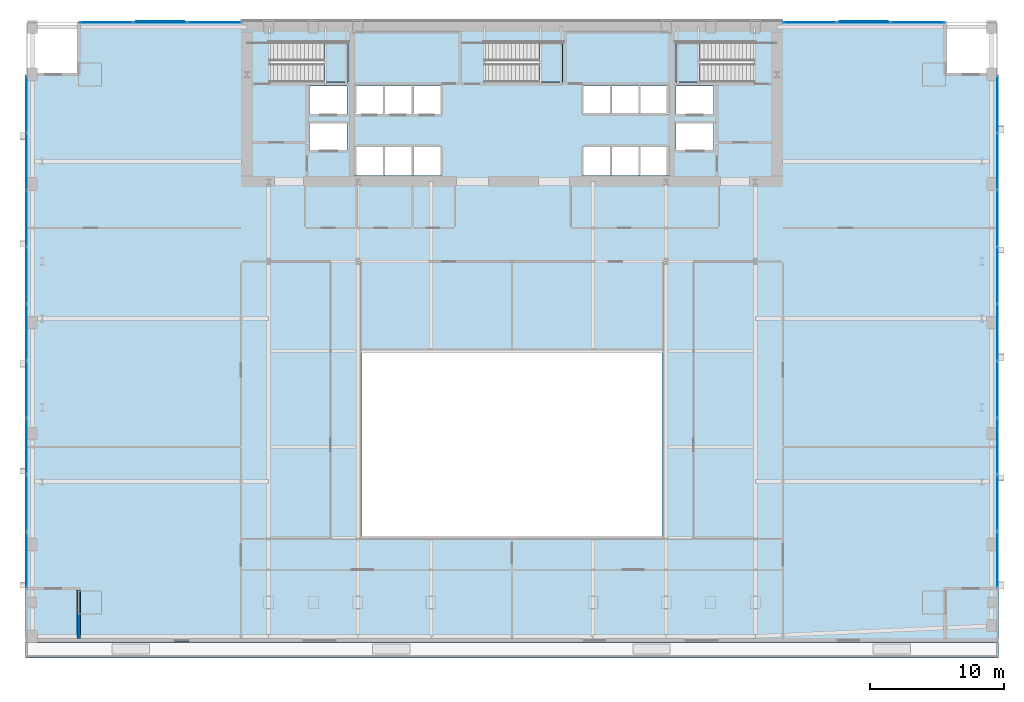
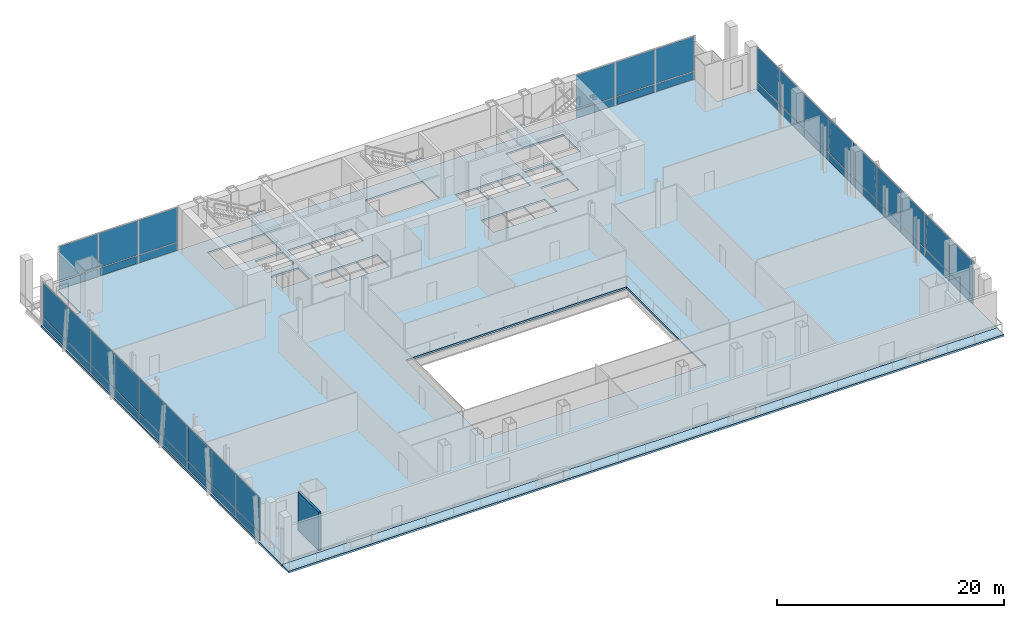
# One storey, part 18 of 25: 50 plates, 5 slabs, 1 wall, 7 elements without a shape of their own.
"""IFC4 building model written with IfcOpenShell, lengths in metres."""

from ifc_helpers import new_model, si_unit, direction, frame, frame_2d, origin, origin_2d, place, context, subcontext, project, spatial, polyline, rectangle, outline, extrude, material, layer, layer_set, type_object, element, aggregate, save


model = new_model("IFC4")

# Units and contexts
model_context = context("Model", 3, precision=1e-05, world=origin(), true_north=direction((0.0, 1.0)))
body_context = subcontext(model_context, "Body", "Model", "MODEL_VIEW")
ifc_project = project(units=[si_unit("LENGTHUNIT", "METRE"), si_unit("AREAUNIT", "SQUARE_METRE"), si_unit("VOLUMEUNIT", "CUBIC_METRE"), si_unit("PLANEANGLEUNIT", "RADIAN"), si_unit("MASSUNIT", "GRAM", prefix="KILO")], contexts=[model_context])

# Site, building, storey
site_placement = place(None, origin())
site = spatial("IfcSite", under=ifc_project, at=site_placement, CompositionType="ELEMENT")
building_placement = place(site_placement, origin())
building = spatial("IfcBuilding", under=site, at=building_placement, Name="Khoronbel Lancet Exchange", CompositionType="ELEMENT")
storey_placement = place(building_placement, frame((0.0, 0.0, 15.39990234375)))
storey = spatial("IfcBuildingStorey", under=building, at=storey_placement, Name="L03", CompositionType="ELEMENT", Elevation=15.39990234375)

# Curtain wall, plate
ifc_material_1 = material(Name="Low-E Solar Control Insulating Glass", Category="glass")
curtain_wall_type = type_object("IfcCurtainWallType", Name="CW-5", PredefinedType="NOTDEFINED", material=ifc_material_1)
curtain_wall_1_placement = place(storey_placement, origin())
curtain_wall_1 = element("IfcCurtainWall", 1, at=curtain_wall_1_placement, inside=storey, type_object=curtain_wall_type, Name="Unitised curtain wall CW-L03-NW", PredefinedType="NOTDEFINED")
ifc_material_2 = material(Name="Bronze-Anodised Aluminium 6063-T6", Category="aluminium")
ifc_layer_1 = layer(ifc_material_2, 0.050048828125, Name="Bronze-Anodised Aluminium 6063-T6")
ifc_layer_set_1 = layer_set([ifc_layer_1], Name="Bronze-Anodised Aluminium 6063-T6")
plate_type_1 = type_object("IfcPlateType", Name="PLT-CSP1", PredefinedType="SHEET", material=ifc_layer_set_1)
plate_1_placement = place(storey_placement, frame((10.110107421875, 53.659912109375, 0.05029296875), z_axis=(0.0, 0.0, 1.0), x_axis=(1.0, 0.0, 0.0)))
plate_1 = element("IfcPlate", 2, at=plate_1_placement, type_object=plate_type_1, Name="Insulated bronze spandrel cassette CW-L03-NW", PredefinedType="SHEET", context=body_context, shape_type="SweptSolid", body=[
    extrude(rectangle(XDim=3.60009765625, YDim=0.050048828125, at=origin_2d()), origin(), (0.0, 0.0, 1.0), 0.800048828125),
])

curtain_wall_2_placement = place(storey_placement, origin())
curtain_wall_2 = element("IfcCurtainWall", 3, at=curtain_wall_2_placement, inside=storey, type_object=curtain_wall_type, Name="Unitised curtain wall CW-L03-NE", PredefinedType="NOTDEFINED")
plate_2_placement = place(storey_placement, frame((62.7900390625, 53.659912109375, 0.05029296875), z_axis=(0.0, 0.0, 1.0), x_axis=(1.0, 0.0, 0.0)))
plate_2 = element("IfcPlate", 4, at=plate_2_placement, type_object=plate_type_1, Name="Insulated bronze spandrel cassette CW-L03-NE", PredefinedType="SHEET", context=body_context, shape_type="SweptSolid", body=[
    extrude(rectangle(XDim=3.60009765625, YDim=0.050048828125, at=origin_2d()), origin(), (0.0, 0.0, 1.0), 0.800048828125),
])

# Curtain wall, plates
curtain_wall_3_placement = place(storey_placement, origin())
curtain_wall_3 = element("IfcCurtainWall", 5, at=curtain_wall_3_placement, inside=storey, type_object=curtain_wall_type, Name="Unitised curtain wall CW-L03-WEST", PredefinedType="NOTDEFINED")
ifc_layer_2 = layer(ifc_material_1, 0.035888671875, Name="Low-E Solar Control Insulating Glass")
ifc_layer_set_2 = layer_set([ifc_layer_2], Name="Low-E Solar Control Insulating Glass")
plate_type_2 = type_object("IfcPlateType", Name="PLT-CWP1", PredefinedType="CURTAIN_PANEL", material=ifc_layer_set_2)
plate_3_placement = place(storey_placement, frame((0.10009765625, 47.4453125, 0.0751953125), z_axis=(0.0, 0.0, 1.0), x_axis=(0.0, -1.0, 0.0)))
plate_3 = element("IfcPlate", 6, at=plate_3_placement, type_object=plate_type_2, Name="CW5 panel 1.1", PredefinedType="CURTAIN_PANEL", context=body_context, shape_type="SweptSolid", body=[
    extrude(rectangle(XDim=4.13916015625, YDim=0.0380859375, at=origin_2d()), origin(), (0.0, 0.0, 1.0), 0.83740234375),
])
plate_4_placement = place(storey_placement, frame((0.10009765625, 47.4453125, 0.98779296875), z_axis=(0.0, 0.0, 1.0), x_axis=(0.0, -1.0, 0.0)))
plate_4 = element("IfcPlate", 7, at=plate_4_placement, type_object=plate_type_2, Name="CW5 panel 1.2", PredefinedType="CURTAIN_PANEL", context=body_context, shape_type="SweptSolid", body=[
    extrude(rectangle(XDim=4.13916015625, YDim=0.0380859375, at=origin_2d()), origin(), (0.0, 0.0, 1.0), 3.717529296875),
])
plate_5_placement = place(storey_placement, frame((0.10009765625, 43.199951171875, 0.0751953125), z_axis=(0.0, 0.0, 1.0), x_axis=(0.0, -1.0, 0.0)))
plate_5 = element("IfcPlate", 8, at=plate_5_placement, type_object=plate_type_2, Name="CW5 panel 2.1", PredefinedType="CURTAIN_PANEL", context=body_context, shape_type="SweptSolid", body=[
    extrude(rectangle(XDim=4.181640625, YDim=0.0380859375, at=origin_2d()), origin(), (0.0, 0.0, 1.0), 0.83740234375),
])
plate_6_placement = place(storey_placement, frame((0.10009765625, 43.199951171875, 0.98779296875), z_axis=(0.0, 0.0, 1.0), x_axis=(0.0, -1.0, 0.0)))
plate_6 = element("IfcPlate", 9, at=plate_6_placement, type_object=plate_type_2, Name="CW5 panel 2.2", PredefinedType="CURTAIN_PANEL", context=body_context, shape_type="SweptSolid", body=[
    extrude(rectangle(XDim=4.181640625, YDim=0.0380859375, at=origin_2d()), origin(), (0.0, 0.0, 1.0), 3.717529296875),
])
plate_7_placement = place(storey_placement, frame((0.10009765625, 38.933349609375, 0.0751953125), z_axis=(0.0, 0.0, 1.0), x_axis=(0.0, -1.0, 0.0)))
plate_7 = element("IfcPlate", 10, at=plate_7_placement, type_object=plate_type_2, Name="CW5 panel 3.1", PredefinedType="CURTAIN_PANEL", context=body_context, shape_type="SweptSolid", body=[
    extrude(rectangle(XDim=4.181640625, YDim=0.0380859375, at=origin_2d()), origin(), (0.0, 0.0, 1.0), 0.83740234375),
])
plate_8_placement = place(storey_placement, frame((0.10009765625, 38.933349609375, 0.98779296875), z_axis=(0.0, 0.0, 1.0), x_axis=(0.0, -1.0, 0.0)))
plate_8 = element("IfcPlate", 11, at=plate_8_placement, type_object=plate_type_2, Name="CW5 panel 3.2", PredefinedType="CURTAIN_PANEL", context=body_context, shape_type="SweptSolid", body=[
    extrude(rectangle(XDim=4.181640625, YDim=0.0380859375, at=origin_2d()), origin(), (0.0, 0.0, 1.0), 3.717529296875),
])
plate_9_placement = place(storey_placement, frame((0.10009765625, 34.666748046875, 0.0751953125), z_axis=(0.0, 0.0, 1.0), x_axis=(0.0, -1.0, 0.0)))
plate_9 = element("IfcPlate", 12, at=plate_9_placement, type_object=plate_type_2, Name="CW5 panel 4.1", PredefinedType="CURTAIN_PANEL", context=body_context, shape_type="SweptSolid", body=[
    extrude(rectangle(XDim=4.181640625, YDim=0.0380859375, at=origin_2d()), origin(), (0.0, 0.0, 1.0), 0.83740234375),
])
plate_10_placement = place(storey_placement, frame((0.10009765625, 34.666748046875, 0.98779296875), z_axis=(0.0, 0.0, 1.0), x_axis=(0.0, -1.0, 0.0)))
plate_10 = element("IfcPlate", 13, at=plate_10_placement, type_object=plate_type_2, Name="CW5 panel 4.2", PredefinedType="CURTAIN_PANEL", context=body_context, shape_type="SweptSolid", body=[
    extrude(rectangle(XDim=4.181640625, YDim=0.0380859375, at=origin_2d()), origin(), (0.0, 0.0, 1.0), 3.717529296875),
])
plate_11_placement = place(storey_placement, frame((0.10009765625, 30.39990234375, 0.0751953125), z_axis=(0.0, 0.0, 1.0), x_axis=(0.0, -1.0, 0.0)))
plate_11 = element("IfcPlate", 14, at=plate_11_placement, type_object=plate_type_2, Name="CW5 panel 5.1", PredefinedType="CURTAIN_PANEL", context=body_context, shape_type="SweptSolid", body=[
    extrude(rectangle(XDim=4.181640625, YDim=0.0380859375, at=origin_2d()), origin(), (0.0, 0.0, 1.0), 0.83740234375),
])
plate_12_placement = place(storey_placement, frame((0.10009765625, 30.39990234375, 0.98779296875), z_axis=(0.0, 0.0, 1.0), x_axis=(0.0, -1.0, 0.0)))
plate_12 = element("IfcPlate", 15, at=plate_12_placement, type_object=plate_type_2, Name="CW5 panel 5.2", PredefinedType="CURTAIN_PANEL", context=body_context, shape_type="SweptSolid", body=[
    extrude(rectangle(XDim=4.181640625, YDim=0.0380859375, at=origin_2d()), origin(), (0.0, 0.0, 1.0), 3.717529296875),
])
plate_13_placement = place(storey_placement, frame((0.10009765625, 26.13330078125, 0.0751953125), z_axis=(0.0, 0.0, 1.0), x_axis=(0.0, -1.0, 0.0)))
plate_13 = element("IfcPlate", 16, at=plate_13_placement, type_object=plate_type_2, Name="CW5 panel 6.1", PredefinedType="CURTAIN_PANEL", context=body_context, shape_type="SweptSolid", body=[
    extrude(rectangle(XDim=4.181640625, YDim=0.0380859375, at=origin_2d()), origin(), (0.0, 0.0, 1.0), 0.83740234375),
])
plate_14_placement = place(storey_placement, frame((0.10009765625, 26.13330078125, 0.98779296875), z_axis=(0.0, 0.0, 1.0), x_axis=(0.0, -1.0, 0.0)))
plate_14 = element("IfcPlate", 17, at=plate_14_placement, type_object=plate_type_2, Name="CW5 panel 6.2", PredefinedType="CURTAIN_PANEL", context=body_context, shape_type="SweptSolid", body=[
    extrude(rectangle(XDim=4.181640625, YDim=0.0380859375, at=origin_2d()), origin(), (0.0, 0.0, 1.0), 3.717529296875),
])
plate_15_placement = place(storey_placement, frame((0.10009765625, 21.86669921875, 0.0751953125), z_axis=(0.0, 0.0, 1.0), x_axis=(0.0, -1.0, 0.0)))
plate_15 = element("IfcPlate", 18, at=plate_15_placement, type_object=plate_type_2, Name="CW5 panel 7.1", PredefinedType="CURTAIN_PANEL", context=body_context, shape_type="SweptSolid", body=[
    extrude(rectangle(XDim=4.181640625, YDim=0.0380859375, at=origin_2d()), origin(), (0.0, 0.0, 1.0), 0.83740234375),
])
plate_16_placement = place(storey_placement, frame((0.10009765625, 21.86669921875, 0.98779296875), z_axis=(0.0, 0.0, 1.0), x_axis=(0.0, -1.0, 0.0)))
plate_16 = element("IfcPlate", 19, at=plate_16_placement, type_object=plate_type_2, Name="CW5 panel 7.2", PredefinedType="CURTAIN_PANEL", context=body_context, shape_type="SweptSolid", body=[
    extrude(rectangle(XDim=4.181640625, YDim=0.0380859375, at=origin_2d()), origin(), (0.0, 0.0, 1.0), 3.717529296875),
])
plate_17_placement = place(storey_placement, frame((0.10009765625, 17.60009765625, 0.0751953125), z_axis=(0.0, 0.0, 1.0), x_axis=(0.0, -1.0, 0.0)))
plate_17 = element("IfcPlate", 20, at=plate_17_placement, type_object=plate_type_2, Name="CW5 panel 8.1", PredefinedType="CURTAIN_PANEL", context=body_context, shape_type="SweptSolid", body=[
    extrude(rectangle(XDim=4.181640625, YDim=0.0380859375, at=origin_2d()), origin(), (0.0, 0.0, 1.0), 0.83740234375),
])
plate_18_placement = place(storey_placement, frame((0.10009765625, 17.60009765625, 0.98779296875), z_axis=(0.0, 0.0, 1.0), x_axis=(0.0, -1.0, 0.0)))
plate_18 = element("IfcPlate", 21, at=plate_18_placement, type_object=plate_type_2, Name="CW5 panel 8.2", PredefinedType="CURTAIN_PANEL", context=body_context, shape_type="SweptSolid", body=[
    extrude(rectangle(XDim=4.181640625, YDim=0.0380859375, at=origin_2d()), origin(), (0.0, 0.0, 1.0), 3.717529296875),
])
plate_19_placement = place(storey_placement, frame((0.10009765625, 13.3544921875, 0.0751953125), z_axis=(0.0, 0.0, 1.0), x_axis=(0.0, -1.0, 0.0)))
plate_19 = element("IfcPlate", 22, at=plate_19_placement, type_object=plate_type_2, Name="CW5 panel 9.1", PredefinedType="CURTAIN_PANEL", context=body_context, shape_type="SweptSolid", body=[
    extrude(rectangle(XDim=4.13916015625, YDim=0.0380859375, at=origin_2d()), origin(), (0.0, 0.0, 1.0), 0.83740234375),
])
plate_20_placement = place(storey_placement, frame((0.10009765625, 13.3544921875, 0.98779296875), z_axis=(0.0, 0.0, 1.0), x_axis=(0.0, -1.0, 0.0)))
plate_20 = element("IfcPlate", 23, at=plate_20_placement, type_object=plate_type_2, Name="CW5 panel 9.2", PredefinedType="CURTAIN_PANEL", context=body_context, shape_type="SweptSolid", body=[
    extrude(rectangle(XDim=4.13916015625, YDim=0.0380859375, at=origin_2d()), origin(), (0.0, 0.0, 1.0), 3.717529296875),
])
aggregate(curtain_wall_3, [plate_3, plate_4, plate_5, plate_6, plate_7, plate_8, plate_9, plate_10, plate_11, plate_12, plate_13, plate_14, plate_15, plate_16, plate_17, plate_18, plate_19, plate_20])

curtain_wall_4_placement = place(storey_placement, origin())
curtain_wall_4 = element("IfcCurtainWall", 24, at=curtain_wall_4_placement, inside=storey, type_object=curtain_wall_type, Name="Unitised curtain wall CW-L03-EAST", PredefinedType="NOTDEFINED")
plate_21_placement = place(storey_placement, frame((72.800048828125, 13.3544921875, 0.0751953125), z_axis=(0.0, 0.0, 1.0), x_axis=(0.0, 1.0, 0.0)))
plate_21 = element("IfcPlate", 25, at=plate_21_placement, type_object=plate_type_2, Name="CW5 panel 1.1", PredefinedType="CURTAIN_PANEL", context=body_context, shape_type="SweptSolid", body=[
    extrude(rectangle(XDim=4.13916015625, YDim=0.0380859375, at=origin_2d()), origin(), (0.0, 0.0, 1.0), 0.83740234375),
])
plate_22_placement = place(storey_placement, frame((72.800048828125, 13.3544921875, 0.98779296875), z_axis=(0.0, 0.0, 1.0), x_axis=(0.0, 1.0, 0.0)))
plate_22 = element("IfcPlate", 26, at=plate_22_placement, type_object=plate_type_2, Name="CW5 panel 1.2", PredefinedType="CURTAIN_PANEL", context=body_context, shape_type="SweptSolid", body=[
    extrude(rectangle(XDim=4.13916015625, YDim=0.0380859375, at=origin_2d()), origin(), (0.0, 0.0, 1.0), 3.717529296875),
])
plate_23_placement = place(storey_placement, frame((72.800048828125, 17.60009765625, 0.0751953125), z_axis=(0.0, 0.0, 1.0), x_axis=(0.0, 1.0, 0.0)))
plate_23 = element("IfcPlate", 27, at=plate_23_placement, type_object=plate_type_2, Name="CW5 panel 2.1", PredefinedType="CURTAIN_PANEL", context=body_context, shape_type="SweptSolid", body=[
    extrude(rectangle(XDim=4.181640625, YDim=0.0380859375, at=origin_2d()), origin(), (0.0, 0.0, 1.0), 0.83740234375),
])
plate_24_placement = place(storey_placement, frame((72.800048828125, 17.60009765625, 0.98779296875), z_axis=(0.0, 0.0, 1.0), x_axis=(0.0, 1.0, 0.0)))
plate_24 = element("IfcPlate", 28, at=plate_24_placement, type_object=plate_type_2, Name="CW5 panel 2.2", PredefinedType="CURTAIN_PANEL", context=body_context, shape_type="SweptSolid", body=[
    extrude(rectangle(XDim=4.181640625, YDim=0.0380859375, at=origin_2d()), origin(), (0.0, 0.0, 1.0), 3.717529296875),
])
plate_25_placement = place(storey_placement, frame((72.800048828125, 21.86669921875, 0.0751953125), z_axis=(0.0, 0.0, 1.0), x_axis=(0.0, 1.0, 0.0)))
plate_25 = element("IfcPlate", 29, at=plate_25_placement, type_object=plate_type_2, Name="CW5 panel 3.1", PredefinedType="CURTAIN_PANEL", context=body_context, shape_type="SweptSolid", body=[
    extrude(rectangle(XDim=4.181640625, YDim=0.0380859375, at=origin_2d()), origin(), (0.0, 0.0, 1.0), 0.83740234375),
])
plate_26_placement = place(storey_placement, frame((72.800048828125, 21.86669921875, 0.98779296875), z_axis=(0.0, 0.0, 1.0), x_axis=(0.0, 1.0, 0.0)))
plate_26 = element("IfcPlate", 30, at=plate_26_placement, type_object=plate_type_2, Name="CW5 panel 3.2", PredefinedType="CURTAIN_PANEL", context=body_context, shape_type="SweptSolid", body=[
    extrude(rectangle(XDim=4.181640625, YDim=0.0380859375, at=origin_2d()), origin(), (0.0, 0.0, 1.0), 3.717529296875),
])
plate_27_placement = place(storey_placement, frame((72.800048828125, 26.13330078125, 0.0751953125), z_axis=(0.0, 0.0, 1.0), x_axis=(0.0, 1.0, 0.0)))
plate_27 = element("IfcPlate", 31, at=plate_27_placement, type_object=plate_type_2, Name="CW5 panel 4.1", PredefinedType="CURTAIN_PANEL", context=body_context, shape_type="SweptSolid", body=[
    extrude(rectangle(XDim=4.181640625, YDim=0.0380859375, at=origin_2d()), origin(), (0.0, 0.0, 1.0), 0.83740234375),
])
plate_28_placement = place(storey_placement, frame((72.800048828125, 26.13330078125, 0.98779296875), z_axis=(0.0, 0.0, 1.0), x_axis=(0.0, 1.0, 0.0)))
plate_28 = element("IfcPlate", 32, at=plate_28_placement, type_object=plate_type_2, Name="CW5 panel 4.2", PredefinedType="CURTAIN_PANEL", context=body_context, shape_type="SweptSolid", body=[
    extrude(rectangle(XDim=4.181640625, YDim=0.0380859375, at=origin_2d()), origin(), (0.0, 0.0, 1.0), 3.717529296875),
])
plate_29_placement = place(storey_placement, frame((72.800048828125, 30.39990234375, 0.0751953125), z_axis=(0.0, 0.0, 1.0), x_axis=(0.0, 1.0, 0.0)))
plate_29 = element("IfcPlate", 33, at=plate_29_placement, type_object=plate_type_2, Name="CW5 panel 5.1", PredefinedType="CURTAIN_PANEL", context=body_context, shape_type="SweptSolid", body=[
    extrude(rectangle(XDim=4.181640625, YDim=0.0380859375, at=origin_2d()), origin(), (0.0, 0.0, 1.0), 0.83740234375),
])
plate_30_placement = place(storey_placement, frame((72.800048828125, 30.39990234375, 0.98779296875), z_axis=(0.0, 0.0, 1.0), x_axis=(0.0, 1.0, 0.0)))
plate_30 = element("IfcPlate", 34, at=plate_30_placement, type_object=plate_type_2, Name="CW5 panel 5.2", PredefinedType="CURTAIN_PANEL", context=body_context, shape_type="SweptSolid", body=[
    extrude(rectangle(XDim=4.181640625, YDim=0.0380859375, at=origin_2d()), origin(), (0.0, 0.0, 1.0), 3.717529296875),
])
plate_31_placement = place(storey_placement, frame((72.800048828125, 34.666748046875, 0.0751953125), z_axis=(0.0, 0.0, 1.0), x_axis=(0.0, 1.0, 0.0)))
plate_31 = element("IfcPlate", 35, at=plate_31_placement, type_object=plate_type_2, Name="CW5 panel 6.1", PredefinedType="CURTAIN_PANEL", context=body_context, shape_type="SweptSolid", body=[
    extrude(rectangle(XDim=4.181640625, YDim=0.0380859375, at=origin_2d()), origin(), (0.0, 0.0, 1.0), 0.83740234375),
])
plate_32_placement = place(storey_placement, frame((72.800048828125, 34.666748046875, 0.98779296875), z_axis=(0.0, 0.0, 1.0), x_axis=(0.0, 1.0, 0.0)))
plate_32 = element("IfcPlate", 36, at=plate_32_placement, type_object=plate_type_2, Name="CW5 panel 6.2", PredefinedType="CURTAIN_PANEL", context=body_context, shape_type="SweptSolid", body=[
    extrude(rectangle(XDim=4.181640625, YDim=0.0380859375, at=origin_2d()), origin(), (0.0, 0.0, 1.0), 3.717529296875),
])
plate_33_placement = place(storey_placement, frame((72.800048828125, 38.933349609375, 0.0751953125), z_axis=(0.0, 0.0, 1.0), x_axis=(0.0, 1.0, 0.0)))
plate_33 = element("IfcPlate", 37, at=plate_33_placement, type_object=plate_type_2, Name="CW5 panel 7.1", PredefinedType="CURTAIN_PANEL", context=body_context, shape_type="SweptSolid", body=[
    extrude(rectangle(XDim=4.181640625, YDim=0.0380859375, at=origin_2d()), origin(), (0.0, 0.0, 1.0), 0.83740234375),
])
plate_34_placement = place(storey_placement, frame((72.800048828125, 38.933349609375, 0.98779296875), z_axis=(0.0, 0.0, 1.0), x_axis=(0.0, 1.0, 0.0)))
plate_34 = element("IfcPlate", 38, at=plate_34_placement, type_object=plate_type_2, Name="CW5 panel 7.2", PredefinedType="CURTAIN_PANEL", context=body_context, shape_type="SweptSolid", body=[
    extrude(rectangle(XDim=4.181640625, YDim=0.0380859375, at=origin_2d()), origin(), (0.0, 0.0, 1.0), 3.717529296875),
])
plate_35_placement = place(storey_placement, frame((72.800048828125, 43.199951171875, 0.0751953125), z_axis=(0.0, 0.0, 1.0), x_axis=(0.0, 1.0, 0.0)))
plate_35 = element("IfcPlate", 39, at=plate_35_placement, type_object=plate_type_2, Name="CW5 panel 8.1", PredefinedType="CURTAIN_PANEL", context=body_context, shape_type="SweptSolid", body=[
    extrude(rectangle(XDim=4.181640625, YDim=0.0380859375, at=origin_2d()), origin(), (0.0, 0.0, 1.0), 0.83740234375),
])
plate_36_placement = place(storey_placement, frame((72.800048828125, 43.199951171875, 0.98779296875), z_axis=(0.0, 0.0, 1.0), x_axis=(0.0, 1.0, 0.0)))
plate_36 = element("IfcPlate", 40, at=plate_36_placement, type_object=plate_type_2, Name="CW5 panel 8.2", PredefinedType="CURTAIN_PANEL", context=body_context, shape_type="SweptSolid", body=[
    extrude(rectangle(XDim=4.181640625, YDim=0.0380859375, at=origin_2d()), origin(), (0.0, 0.0, 1.0), 3.717529296875),
])
plate_37_placement = place(storey_placement, frame((72.800048828125, 47.4453125, 0.0751953125), z_axis=(0.0, 0.0, 1.0), x_axis=(0.0, 1.0, 0.0)))
plate_37 = element("IfcPlate", 41, at=plate_37_placement, type_object=plate_type_2, Name="CW5 panel 9.1", PredefinedType="CURTAIN_PANEL", context=body_context, shape_type="SweptSolid", body=[
    extrude(rectangle(XDim=4.13916015625, YDim=0.0380859375, at=origin_2d()), origin(), (0.0, 0.0, 1.0), 0.83740234375),
])
plate_38_placement = place(storey_placement, frame((72.800048828125, 47.4453125, 0.98779296875), z_axis=(0.0, 0.0, 1.0), x_axis=(0.0, 1.0, 0.0)))
plate_38 = element("IfcPlate", 42, at=plate_38_placement, type_object=plate_type_2, Name="CW5 panel 9.2", PredefinedType="CURTAIN_PANEL", context=body_context, shape_type="SweptSolid", body=[
    extrude(rectangle(XDim=4.13916015625, YDim=0.0380859375, at=origin_2d()), origin(), (0.0, 0.0, 1.0), 3.717529296875),
])
aggregate(curtain_wall_4, [plate_21, plate_22, plate_23, plate_24, plate_25, plate_26, plate_27, plate_28, plate_29, plate_30, plate_31, plate_32, plate_33, plate_34, plate_35, plate_36, plate_37, plate_38])

# Plate
plate_39_placement = place(storey_placement, frame((6.057861328125, 53.60009765625, 0.0751953125), z_axis=(0.0, 0.0, 1.0), x_axis=(1.0, 0.0, 0.0)))
plate_39 = element("IfcPlate", 43, at=plate_39_placement, type_object=plate_type_2, Name="CW5 panel 1.1", PredefinedType="CURTAIN_PANEL", context=body_context, shape_type="SweptSolid", body=[
    extrude(rectangle(XDim=3.94580078125, YDim=0.0380859375, at=origin_2d()), origin(), (0.0, 0.0, 1.0), 0.83740234375),
])

plate_40_placement = place(storey_placement, frame((6.057861328125, 53.60009765625, 0.98779296875), z_axis=(0.0, 0.0, 1.0), x_axis=(1.0, 0.0, 0.0)))
plate_40 = element("IfcPlate", 44, at=plate_40_placement, type_object=plate_type_2, Name="CW5 panel 1.2", PredefinedType="CURTAIN_PANEL", context=body_context, shape_type="SweptSolid", body=[
    extrude(rectangle(XDim=3.94580078125, YDim=0.0380859375, at=origin_2d()), origin(), (0.0, 0.0, 1.0), 3.717529296875),
])

plate_41_placement = place(storey_placement, frame((10.110107421875, 53.60009765625, 0.0751953125), z_axis=(0.0, 0.0, 1.0), x_axis=(1.0, 0.0, 0.0)))
plate_41 = element("IfcPlate", 45, at=plate_41_placement, type_object=plate_type_2, Name="CW5 panel 2.1", PredefinedType="CURTAIN_PANEL", context=body_context, shape_type="SweptSolid", body=[
    extrude(rectangle(XDim=3.98828125, YDim=0.0380859375, at=origin_2d()), origin(), (0.0, 0.0, 1.0), 0.83740234375),
])

plate_42_placement = place(storey_placement, frame((10.110107421875, 53.60009765625, 0.98779296875), z_axis=(0.0, 0.0, 1.0), x_axis=(1.0, 0.0, 0.0)))
plate_42 = element("IfcPlate", 46, at=plate_42_placement, type_object=plate_type_2, Name="CW5 panel 2.2", PredefinedType="CURTAIN_PANEL", context=body_context, shape_type="SweptSolid", body=[
    extrude(rectangle(XDim=3.98828125, YDim=0.0380859375, at=origin_2d()), origin(), (0.0, 0.0, 1.0), 3.717529296875),
])

plate_43_placement = place(storey_placement, frame((14.162109375, 53.60009765625, 0.0751953125), z_axis=(0.0, 0.0, 1.0), x_axis=(1.0, 0.0, 0.0)))
plate_43 = element("IfcPlate", 47, at=plate_43_placement, type_object=plate_type_2, Name="CW5 panel 3.1", PredefinedType="CURTAIN_PANEL", context=body_context, shape_type="SweptSolid", body=[
    extrude(rectangle(XDim=3.94580078125, YDim=0.0380859375, at=origin_2d()), origin(), (0.0, 0.0, 1.0), 0.83740234375),
])

plate_44_placement = place(storey_placement, frame((14.162109375, 53.60009765625, 0.98779296875), z_axis=(0.0, 0.0, 1.0), x_axis=(1.0, 0.0, 0.0)))
plate_44 = element("IfcPlate", 48, at=plate_44_placement, type_object=plate_type_2, Name="CW5 panel 3.2", PredefinedType="CURTAIN_PANEL", context=body_context, shape_type="SweptSolid", body=[
    extrude(rectangle(XDim=3.94580078125, YDim=0.0380859375, at=origin_2d()), origin(), (0.0, 0.0, 1.0), 3.717529296875),
])

aggregate(curtain_wall_1, [plate_39, plate_40, plate_41, plate_42, plate_43, plate_44, plate_1])

plate_45_placement = place(storey_placement, frame((58.738037109375, 53.60009765625, 0.0751953125), z_axis=(0.0, 0.0, 1.0), x_axis=(1.0, 0.0, 0.0)))
plate_45 = element("IfcPlate", 49, at=plate_45_placement, type_object=plate_type_2, Name="CW5 panel 1.1", PredefinedType="CURTAIN_PANEL", context=body_context, shape_type="SweptSolid", body=[
    extrude(rectangle(XDim=3.94580078125, YDim=0.0380859375, at=origin_2d()), origin(), (0.0, 0.0, 1.0), 0.83740234375),
])

plate_46_placement = place(storey_placement, frame((58.738037109375, 53.60009765625, 0.98779296875), z_axis=(0.0, 0.0, 1.0), x_axis=(1.0, 0.0, 0.0)))
plate_46 = element("IfcPlate", 50, at=plate_46_placement, type_object=plate_type_2, Name="CW5 panel 1.2", PredefinedType="CURTAIN_PANEL", context=body_context, shape_type="SweptSolid", body=[
    extrude(rectangle(XDim=3.94580078125, YDim=0.0380859375, at=origin_2d()), origin(), (0.0, 0.0, 1.0), 3.717529296875),
])

plate_47_placement = place(storey_placement, frame((62.7900390625, 53.60009765625, 0.0751953125), z_axis=(0.0, 0.0, 1.0), x_axis=(1.0, 0.0, 0.0)))
plate_47 = element("IfcPlate", 51, at=plate_47_placement, type_object=plate_type_2, Name="CW5 panel 2.1", PredefinedType="CURTAIN_PANEL", context=body_context, shape_type="SweptSolid", body=[
    extrude(rectangle(XDim=3.98828125, YDim=0.0380859375, at=origin_2d()), origin(), (0.0, 0.0, 1.0), 0.83740234375),
])

plate_48_placement = place(storey_placement, frame((62.7900390625, 53.60009765625, 0.98779296875), z_axis=(0.0, 0.0, 1.0), x_axis=(1.0, 0.0, 0.0)))
plate_48 = element("IfcPlate", 52, at=plate_48_placement, type_object=plate_type_2, Name="CW5 panel 2.2", PredefinedType="CURTAIN_PANEL", context=body_context, shape_type="SweptSolid", body=[
    extrude(rectangle(XDim=3.98828125, YDim=0.0380859375, at=origin_2d()), origin(), (0.0, 0.0, 1.0), 3.717529296875),
])

plate_49_placement = place(storey_placement, frame((66.842041015625, 53.60009765625, 0.0751953125), z_axis=(0.0, 0.0, 1.0), x_axis=(1.0, 0.0, 0.0)))
plate_49 = element("IfcPlate", 53, at=plate_49_placement, type_object=plate_type_2, Name="CW5 panel 3.1", PredefinedType="CURTAIN_PANEL", context=body_context, shape_type="SweptSolid", body=[
    extrude(rectangle(XDim=3.94580078125, YDim=0.0380859375, at=origin_2d()), origin(), (0.0, 0.0, 1.0), 0.83740234375),
])

plate_50_placement = place(storey_placement, frame((66.842041015625, 53.60009765625, 0.98779296875), z_axis=(0.0, 0.0, 1.0), x_axis=(1.0, 0.0, 0.0)))
plate_50 = element("IfcPlate", 54, at=plate_50_placement, type_object=plate_type_2, Name="CW5 panel 3.2", PredefinedType="CURTAIN_PANEL", context=body_context, shape_type="SweptSolid", body=[
    extrude(rectangle(XDim=3.94580078125, YDim=0.0380859375, at=origin_2d()), origin(), (0.0, 0.0, 1.0), 3.717529296875),
])

aggregate(curtain_wall_2, [plate_45, plate_46, plate_47, plate_48, plate_49, plate_50, plate_2])

# Slab
ifc_material_3 = material(Name="Concrete C40/50", Category="concrete")
ifc_layer_3 = layer(ifc_material_3, 0.199951171875, Name="Concrete C40/50")
ifc_layer_set_3 = layer_set([ifc_layer_3], Name="Concrete C40/50")
slab_type_1 = type_object("IfcSlabType", Name="SL-FL200", PredefinedType="FLOOR", material=ifc_layer_set_3)
slab_1_placement = place(storey_placement, frame((0.0, 0.0, -0.199951171875)))
element("IfcSlab", 55, at=slab_1_placement, inside=storey, type_object=slab_type_1, Name="Level L03 composite structural floor slab", PredefinedType="FLOOR", context=body_context, shape_type="SweptSolid", body=[
    extrude(outline(polyline([(0.0, 7.199951171875), (72.89990234375, 7.199951171875), (72.89990234375, 49.699951171875), (68.89990234375, 49.699951171875), (68.89990234375, 53.699951171875), (4.0, 53.699951171875), (4.0, 49.699951171875), (0.0, 49.699951171875), (0.0, 7.199951171875)]), holes=[polyline([(18.324951171875, 49.1201171875), (24.14990234375, 49.1201171875), (24.14990234375, 52.10009765625), (18.324951171875, 52.10009765625), (18.324951171875, 49.1201171875)]), polyline([(48.75, 49.1201171875), (54.574951171875, 49.1201171875), (54.574951171875, 52.10009765625), (48.75, 52.10009765625), (48.75, 49.1201171875)]), polyline([(34.425048828125, 49.1201171875), (40.25, 49.1201171875), (40.25, 52.10009765625), (34.425048828125, 52.10009765625), (34.425048828125, 49.1201171875)]), polyline([(24.699951171875, 46.75), (26.840087890625, 46.75), (26.840087890625, 48.85009765625), (24.699951171875, 48.85009765625), (24.699951171875, 46.75)]), polyline([(26.860107421875, 46.75), (29.0, 46.75), (29.0, 48.85009765625), (26.860107421875, 48.85009765625), (26.860107421875, 46.75)]), polyline([(29.02001953125, 46.75), (31.159912109375, 46.75), (31.159912109375, 48.85009765625), (29.02001953125, 48.85009765625), (29.02001953125, 46.75)]), polyline([(24.699951171875, 42.14990234375), (26.840087890625, 42.14990234375), (26.840087890625, 44.300048828125), (24.699951171875, 44.300048828125), (24.699951171875, 42.14990234375)]), polyline([(26.860107421875, 42.14990234375), (29.0, 42.14990234375), (29.0, 44.300048828125), (26.860107421875, 44.300048828125), (26.860107421875, 42.14990234375)]), polyline([(29.02001953125, 42.14990234375), (31.159912109375, 42.14990234375), (31.159912109375, 44.300048828125), (29.02001953125, 44.300048828125), (29.02001953125, 42.14990234375)]), polyline([(41.739990234375, 46.75), (43.8798828125, 46.75), (43.8798828125, 48.85009765625), (41.739990234375, 48.85009765625), (41.739990234375, 46.75)]), polyline([(43.89990234375, 46.75), (46.0400390625, 46.75), (46.0400390625, 48.85009765625), (43.89990234375, 48.85009765625), (43.89990234375, 46.75)]), polyline([(46.06005859375, 46.75), (48.199951171875, 46.75), (48.199951171875, 48.85009765625), (46.06005859375, 48.85009765625), (46.06005859375, 46.75)]), polyline([(41.739990234375, 42.14990234375), (43.8798828125, 42.14990234375), (43.8798828125, 44.300048828125), (41.739990234375, 44.300048828125), (41.739990234375, 42.14990234375)]), polyline([(43.89990234375, 42.14990234375), (46.0400390625, 42.14990234375), (46.0400390625, 44.300048828125), (43.89990234375, 44.300048828125), (43.89990234375, 42.14990234375)]), polyline([(46.06005859375, 42.14990234375), (48.199951171875, 42.14990234375), (48.199951171875, 44.300048828125), (46.06005859375, 44.300048828125), (46.06005859375, 42.14990234375)]), polyline([(21.300048828125, 46.75), (24.10009765625, 46.75), (24.10009765625, 48.85009765625), (21.300048828125, 48.85009765625), (21.300048828125, 46.75)]), polyline([(48.75, 46.75), (51.550048828125, 46.75), (51.550048828125, 48.85009765625), (48.75, 48.85009765625), (48.75, 46.75)]), polyline([(21.300048828125, 44.050048828125), (24.10009765625, 44.050048828125), (24.10009765625, 46.050048828125), (21.300048828125, 46.050048828125), (21.300048828125, 44.050048828125)]), polyline([(48.75, 44.050048828125), (51.550048828125, 44.050048828125), (51.550048828125, 46.050048828125), (48.75, 46.050048828125), (48.75, 44.050048828125)]), polyline([(25.199951171875, 15.0), (47.699951171875, 15.0), (47.699951171875, 29.0), (25.199951171875, 29.0), (25.199951171875, 15.0)])]), origin(), (0.0, 0.0, 1.0), 0.199951171875),
])

# Stair, slab
stair_type = type_object("IfcStairType", Name="STR-CORE150", PredefinedType="HALF_TURN_STAIR", material=ifc_material_3)
stair_1_placement = place(storey_placement, origin())
stair_1 = element("IfcStair", 56, at=stair_1_placement, inside=storey, type_object=stair_type, Name="L03 Protected Exit Stair ST1", PredefinedType="HALF_TURN_STAIR")
ifc_layer_4 = layer(ifc_material_3, 0.199951171875, Name="Concrete C40/50")
ifc_layer_set_4 = layer_set([ifc_layer_4], Name="Concrete C40/50")
slab_type_2 = type_object("IfcSlabType", Name="SL-LND180", PredefinedType="LANDING", material=ifc_layer_set_4)
slab_2_placement = place(storey_placement, frame((0.0, 0.0, 2.300048828125)))
slab_2 = element("IfcSlab", 57, at=slab_2_placement, type_object=slab_type_2, Name="ST1 landing 1", PredefinedType="LANDING", context=body_context, shape_type="SweptSolid", body=[
    extrude(outline(polyline([(22.360107421875, 49.1201171875), (24.14990234375, 49.1201171875), (24.14990234375, 52.10009765625), (22.360107421875, 52.10009765625), (22.360107421875, 49.1201171875)])), origin(), (0.0, 0.0, 1.0), 0.199951171875),
])
aggregate(stair_1, [slab_2])

stair_2_placement = place(storey_placement, origin())
stair_2 = element("IfcStair", 58, at=stair_2_placement, inside=storey, type_object=stair_type, Name="L03 Protected Exit Stair ST2", PredefinedType="HALF_TURN_STAIR")
slab_3_placement = place(storey_placement, frame((0.0, 0.0, 2.300048828125)))
slab_3 = element("IfcSlab", 59, at=slab_3_placement, type_object=slab_type_2, Name="ST2 landing 1", PredefinedType="LANDING", context=body_context, shape_type="SweptSolid", body=[
    extrude(outline(polyline([(50.5400390625, 52.10009765625), (48.75, 52.10009765625), (48.75, 49.1201171875), (50.5400390625, 49.1201171875), (50.5400390625, 52.10009765625)])), origin(), (0.0, 0.0, 1.0), 0.199951171875),
])
aggregate(stair_2, [slab_3])

stair_3_placement = place(storey_placement, origin())
stair_3 = element("IfcStair", 60, at=stair_3_placement, inside=storey, type_object=stair_type, Name="L03 Protected Exit Stair ST3", PredefinedType="HALF_TURN_STAIR")
slab_4_placement = place(storey_placement, frame((0.0, 0.0, 2.300048828125)))
slab_4 = element("IfcSlab", 61, at=slab_4_placement, type_object=slab_type_2, Name="ST3 landing 1", PredefinedType="LANDING", context=body_context, shape_type="SweptSolid", body=[
    extrude(outline(polyline([(38.4599609375, 49.1201171875), (40.25, 49.1201171875), (40.25, 52.10009765625), (38.4599609375, 52.10009765625), (38.4599609375, 49.1201171875)])), origin(), (0.0, 0.0, 1.0), 0.199951171875),
])
aggregate(stair_3, [slab_4])

# Slab
ifc_layer_5 = layer(ifc_material_3, 0.18994140625, Name="Concrete C40/50")
ifc_layer_set_5 = layer_set([ifc_layer_5], Name="Concrete C40/50")
slab_type_3 = type_object("IfcSlabType", Name="SL-TER180", PredefinedType="FLOOR", material=ifc_layer_set_5)
slab_5_placement = place(storey_placement, frame((0.0, 0.0, -0.199951171875)))
element("IfcSlab", 62, at=slab_5_placement, inside=storey, type_object=slab_type_3, Name="Level L03 cascading south planted garden terrace slab", PredefinedType="FLOOR", context=body_context, shape_type="SweptSolid", body=[
    extrude(outline(polyline([(0.0, 6.0), (72.89990234375, 6.0), (72.89990234375, 7.199951171875), (0.0, 7.199951171875), (0.0, 6.0)])), origin(), (0.0, 0.0, 1.0), 0.199951171875),
])

# Wall
ifc_material_4 = material(Name="Precast concrete C40/50", Category="concrete")
ifc_layer_6 = layer(ifc_material_4, 0.25, Name="Precast concrete C40/50")
ifc_layer_set_6 = layer_set([ifc_layer_6], Name="Precast concrete C40/50")
wall_type = type_object("IfcWallType", Name="WL-EXT250", PredefinedType="SOLIDWALL", material=ifc_layer_set_6)
wall_placement = place(storey_placement, frame((4.0, 7.449951171875, 0.0), z_axis=(0.0, 0.0, 1.0), x_axis=(0.0, 1.0, 0.0)))
element("IfcWall", 63, at=wall_placement, inside=storey, type_object=wall_type, Name="Level L03 corner notch exterior wall SWV3", PredefinedType="SOLIDWALL", context=body_context, shape_type="SweptSolid", body=[
    extrude(rectangle(XDim=3.625, YDim=0.25, at=frame_2d((1.8125, 0.0))), origin(), (0.0, 0.0, 1.0), 4.1201171875),
])

save(model, "model.ifc")
